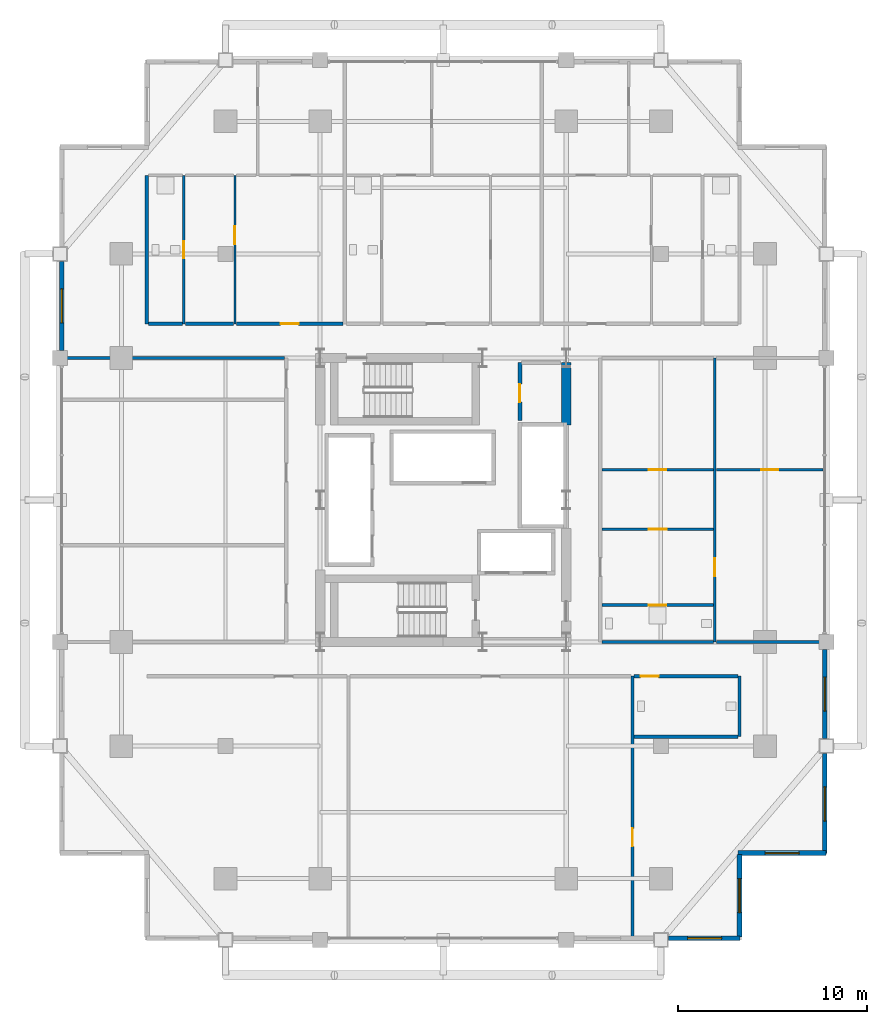
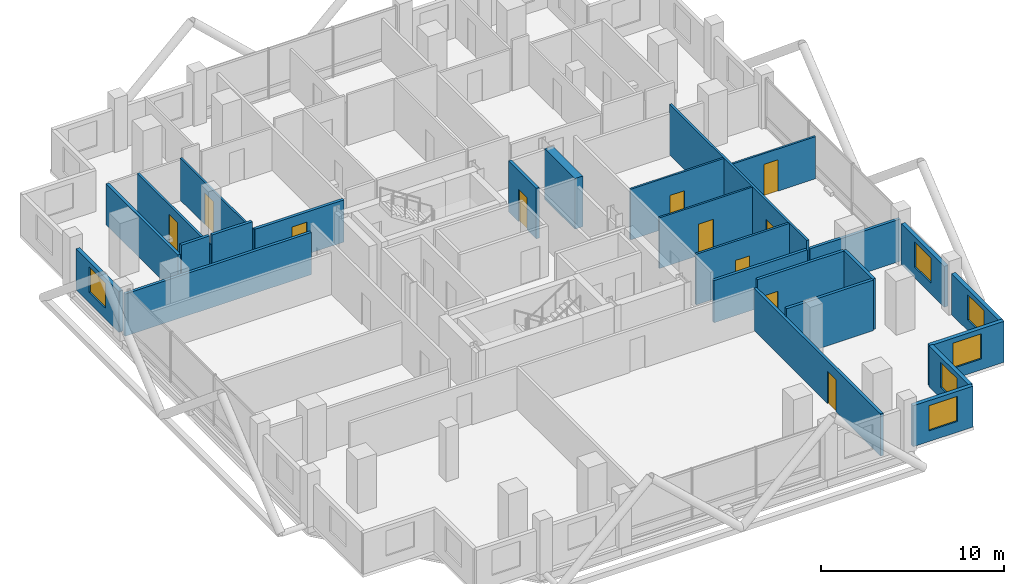
# One storey, part 20 of 24: 26 walls, 11 doors, 6 windows, 17 openings.
"""IFC4 building model written with IfcOpenShell, lengths in metres."""

from ifc_helpers import new_model, si_unit, direction, frame, frame_2d, origin, place, context, subcontext, project, spatial, rectangle, extrude, material, layer, layer_set, type_object, element, fill, save


model = new_model("IFC4")

# Units and contexts
model_context = context("Model", 3, precision=1e-05, world=origin(), true_north=direction((0.0, 1.0)))
body_context = subcontext(model_context, "Body", "Model", "MODEL_VIEW")
ifc_project = project(units=[si_unit("LENGTHUNIT", "METRE"), si_unit("AREAUNIT", "SQUARE_METRE"), si_unit("VOLUMEUNIT", "CUBIC_METRE"), si_unit("PLANEANGLEUNIT", "RADIAN"), si_unit("MASSUNIT", "GRAM", prefix="KILO")], contexts=[model_context])

# Site, building, storey
site_placement = place(None, origin())
site = spatial("IfcSite", under=ifc_project, at=site_placement, CompositionType="ELEMENT")
building_placement = place(site_placement, origin())
building = spatial("IfcBuilding", under=site, at=building_placement, Name="Barlavira Tower and Art Museum", CompositionType="ELEMENT")
storey_placement = place(building_placement, frame((0.0, 0.0, 109.800048828125)))
storey = spatial("IfcBuildingStorey", under=building, at=storey_placement, Name="L27", CompositionType="ELEMENT", Elevation=109.800048828125)

# Wall, opening, door
ifc_material_1 = material(Name="Gypsum acoustic stud partition", Category="gypsum")
ifc_layer_1 = layer(ifc_material_1, 0.1201171875, Name="Gypsum acoustic stud partition")
ifc_layer_set_1 = layer_set([ifc_layer_1], Name="Gypsum acoustic stud partition")
wall_type_1 = type_object("IfcWallType", Name="Apartment Internal Acoustic Partition 120", PredefinedType="PARTITIONING", material=ifc_layer_set_1)
wall_1_placement = place(storey_placement, frame((-11.0, 9.300048828125, 0.0), z_axis=(0.0, 0.0, 1.0), x_axis=(0.0, 1.0, 0.0)))
wall_1 = element("IfcWall", 1, at=wall_1_placement, inside=storey, type_object=wall_type_1, Name="L27 Partition Wall 3", PredefinedType="PARTITIONING", context=body_context, shape_type="SweptSolid", body=[
    extrude(rectangle(XDim=7.849853515625, YDim=0.1201171875, at=frame_2d((3.9248046875, 0.0))), origin(), (0.0, 0.0, 1.0), 2.81591796875),
])
opening_1_placement = place(wall_1_placement, frame((4.218505859375, 0.0, 0.0)))
opening_1 = element("IfcOpeningElement", 2, at=opening_1_placement, cuts=wall_1, Name="Opening D-02", PredefinedType="OPENING", context=body_context, shape_type="SweptSolid", body=[
    extrude(rectangle(XDim=0.949951171875, YDim=2.10009765625, at=frame_2d((0.47509765625, 1.050048828125))), frame((0.0, 0.070068359375, 0.0), z_axis=(0.0, -1.0, 0.0), x_axis=(1.0, 0.0, 0.0)), (0.0, 0.0, 1.0), 0.14013671875),
])
ifc_material_2 = material(Name="Engineered coastal hardwood", Category="wood")
door_type_1 = type_object("IfcDoorType", Name="Living and Salon Glazed-Leaf Door 950x2100", OperationType="NOTDEFINED", PredefinedType="DOOR", material=ifc_material_2)
door_1_placement = place(opening_1_placement, origin())
door_1 = element("IfcDoor", 3, at=door_1_placement, inside=storey, type_object=door_type_1, Name="Apartment N1 Kitchen Door", OperationType="SINGLE_SWING_RIGHT", OverallHeight=2.10009765625, OverallWidth=0.949951171875, PredefinedType="DOOR", context=body_context, shape_type="SweptSolid", body=[
    extrude(rectangle(XDim=0.949951171875, YDim=2.10009765625, at=frame_2d((0.47509765625, 1.050048828125))), frame((0.0, 0.02490234375, 0.0), z_axis=(0.0, -1.0, 0.0), x_axis=(1.0, 0.0, 0.0)), (0.0, 0.0, 1.0), 0.050048828125),
])
fill(opening_1, door_1)

wall_2_placement = place(storey_placement, frame((8.3798828125, -1.550048828125, 0.0), z_axis=(0.0, 0.0, 1.0), x_axis=(1.0, 0.0, 0.0)))
wall_2 = element("IfcWall", 4, at=wall_2_placement, inside=storey, type_object=wall_type_1, Name="L27 Partition Wall 30", PredefinedType="PARTITIONING", context=body_context, shape_type="SweptSolid", body=[
    extrude(rectangle(XDim=5.89013671875, YDim=0.1201171875, at=frame_2d((2.945068359375, 0.0))), origin(), (0.0, 0.0, 1.0), 3.3798828125),
])
opening_2_placement = place(wall_2_placement, frame((2.465087890625, 0.0, 0.0)))
opening_2 = element("IfcOpeningElement", 5, at=opening_2_placement, cuts=wall_2, Name="Opening D-02", PredefinedType="OPENING", context=body_context, shape_type="SweptSolid", body=[
    extrude(rectangle(XDim=0.949951171875, YDim=2.10009765625, at=frame_2d((0.47509765625, 1.050048828125))), frame((0.0, 0.070068359375, 0.0), z_axis=(0.0, -1.0, 0.0), x_axis=(1.0, 0.0, 0.0)), (0.0, 0.0, 1.0), 0.14013671875),
])
door_2_placement = place(opening_2_placement, origin())
door_2 = element("IfcDoor", 6, at=door_2_placement, inside=storey, type_object=door_type_1, Name="Apartment E1 Kitchen Door", OperationType="SINGLE_SWING_LEFT", OverallHeight=2.10009765625, OverallWidth=0.949951171875, PredefinedType="DOOR", context=body_context, shape_type="SweptSolid", body=[
    extrude(rectangle(XDim=0.949951171875, YDim=2.10009765625, at=frame_2d((0.47509765625, 1.050048828125))), frame((0.0, 0.02490234375, 0.0), z_axis=(0.0, -1.0, 0.0), x_axis=(1.0, 0.0, 0.0)), (0.0, 0.0, 1.0), 0.050048828125),
])
fill(opening_2, door_2)

wall_3_placement = place(storey_placement, frame((8.3798828125, 1.60009765625, 0.0), z_axis=(0.0, 0.0, 1.0), x_axis=(1.0, 0.0, 0.0)))
wall_3 = element("IfcWall", 7, at=wall_3_placement, inside=storey, type_object=wall_type_1, Name="L27 Partition Wall 31", PredefinedType="PARTITIONING", context=body_context, shape_type="SweptSolid", body=[
    extrude(rectangle(XDim=5.89013671875, YDim=0.1201171875, at=frame_2d((2.945068359375, 0.0))), origin(), (0.0, 0.0, 1.0), 3.3798828125),
])
opening_3_placement = place(wall_3_placement, frame((2.489990234375, 0.0, 0.0)))
opening_3 = element("IfcOpeningElement", 8, at=opening_3_placement, cuts=wall_3, Name="Opening D-01", PredefinedType="OPENING", context=body_context, shape_type="SweptSolid", body=[
    extrude(rectangle(XDim=0.89990234375, YDim=2.10009765625, at=frame_2d((0.449951171875, 1.050048828125))), frame((0.0, 0.070068359375, 0.0), z_axis=(0.0, -1.0, 0.0), x_axis=(1.0, 0.0, 0.0)), (0.0, 0.0, 1.0), 0.14013671875),
])
door_type_2 = type_object("IfcDoorType", Name="Internal Bedroom Timber Flush Door 900x2100", OperationType="NOTDEFINED", PredefinedType="DOOR", material=ifc_material_2)
door_3_placement = place(opening_3_placement, origin())
door_3 = element("IfcDoor", 9, at=door_3_placement, inside=storey, type_object=door_type_2, Name="Apartment E1 Walk-In Dressing Room Door", OperationType="SINGLE_SWING_RIGHT", OverallHeight=2.10009765625, OverallWidth=0.89990234375, PredefinedType="DOOR", context=body_context, shape_type="SweptSolid", body=[
    extrude(rectangle(XDim=0.89990234375, YDim=2.10009765625, at=frame_2d((0.449951171875, 1.050048828125))), frame((0.0, 0.02490234375, 0.0), z_axis=(0.0, -1.0, 0.0), x_axis=(1.0, 0.0, 0.0)), (0.0, 0.0, 1.0), 0.050048828125),
])
fill(opening_3, door_3)

wall_4_placement = place(storey_placement, frame((14.429931640625, 1.60009765625, 0.0), z_axis=(0.0, 0.0, 1.0), x_axis=(1.0, 0.0, 0.0)))
wall_4 = element("IfcWall", 10, at=wall_4_placement, inside=storey, type_object=wall_type_1, Name="L27 Partition Wall 32", PredefinedType="PARTITIONING", context=body_context, shape_type="SweptSolid", body=[
    extrude(rectangle(XDim=5.64013671875, YDim=0.1201171875, at=frame_2d((2.820068359375, 0.0))), origin(), (0.0, 0.0, 1.0), 2.81591796875),
])
opening_4_placement = place(wall_4_placement, frame((2.3701171875, 0.0, 0.0)))
opening_4 = element("IfcOpeningElement", 11, at=opening_4_placement, cuts=wall_4, Name="Opening D-01", PredefinedType="OPENING", context=body_context, shape_type="SweptSolid", body=[
    extrude(rectangle(XDim=0.89990234375, YDim=2.10009765625, at=frame_2d((0.449951171875, 1.050048828125))), frame((0.0, 0.070068359375, 0.0), z_axis=(0.0, -1.0, 0.0), x_axis=(1.0, 0.0, 0.0)), (0.0, 0.0, 1.0), 0.14013671875),
])
door_4_placement = place(opening_4_placement, origin())
door_4 = element("IfcDoor", 12, at=door_4_placement, inside=storey, type_object=door_type_2, Name="Apartment E1 Bedroom 1 Door", OperationType="SINGLE_SWING_RIGHT", OverallHeight=2.10009765625, OverallWidth=0.89990234375, PredefinedType="DOOR", context=body_context, shape_type="SweptSolid", body=[
    extrude(rectangle(XDim=0.89990234375, YDim=2.10009765625, at=frame_2d((0.449951171875, 1.050048828125))), frame((0.0, 0.02490234375, 0.0), z_axis=(0.0, -1.0, 0.0), x_axis=(1.0, 0.0, 0.0)), (0.0, 0.0, 1.0), 0.050048828125),
])
fill(opening_4, door_4)

# Wall
ifc_material_3 = material(Name="Concrete C60", Category="concrete")
ifc_layer_2 = layer(ifc_material_3, 0.5, Name="Concrete C60")
ifc_layer_set_2 = layer_set([ifc_layer_2], Name="Concrete C60")
wall_type_2 = type_object("IfcWallType", Name="Core Structural Shear Wall 500 Concrete C60", PredefinedType="SHEAR", material=ifc_layer_set_2)
wall_5_placement = place(storey_placement, frame((6.5, 3.949951171875, 0.0), z_axis=(0.0, 0.0, 1.0), x_axis=(0.0, 1.0, 0.0)))
element("IfcWall", 13, at=wall_5_placement, inside=storey, type_object=wall_type_2, Name="L27 Core Shear Wall CS-E2", PredefinedType="SHEAR", context=body_context, shape_type="SweptSolid", body=[
    extrude(rectangle(XDim=3.300048828125, YDim=0.5, at=frame_2d((1.64990234375, 0.0))), origin(), (0.0, 0.0, 1.0), 3.3798828125),
])

# Wall, opening, door
ifc_material_4 = material(Name="Autoclaved aerated concrete masonry", Category="masonry")
ifc_layer_3 = layer(ifc_material_4, 0.199951171875, Name="Autoclaved aerated concrete masonry")
ifc_layer_set_3 = layer_set([ifc_layer_3], Name="Autoclaved aerated concrete masonry")
wall_type_3 = type_object("IfcWallType", Name="Fire Compartment and Shaft Wall 200", PredefinedType="SOLIDWALL", material=ifc_layer_set_3)
wall_6_placement = place(storey_placement, frame((4.050048828125, 4.199951171875, 0.0), z_axis=(0.0, 0.0, 1.0), x_axis=(0.0, 1.0, 0.0)))
wall_6 = element("IfcWall", 14, at=wall_6_placement, inside=storey, type_object=wall_type_3, Name="L27 Partition Wall 11", PredefinedType="SOLIDWALL", context=body_context, shape_type="SweptSolid", body=[
    extrude(rectangle(XDim=3.050048828125, YDim=0.199951171875, at=frame_2d((1.52490234375, 0.0))), origin(), (0.0, 0.0, 1.0), 3.3798828125),
])
opening_5_placement = place(wall_6_placement, frame((0.97509765625, 0.0, 0.0)))
opening_5 = element("IfcOpeningElement", 15, at=opening_5_placement, cuts=wall_6, Name="Opening FD-60", PredefinedType="OPENING", context=body_context, shape_type="SweptSolid", body=[
    extrude(rectangle(XDim=0.949951171875, YDim=2.14990234375, at=frame_2d((0.47509765625, 1.074951171875))), frame((0.0, 0.10986328125, 0.0), z_axis=(0.0, -1.0, 0.0), x_axis=(1.0, 0.0, 0.0)), (0.0, 0.0, 1.0), 0.219970703125),
])
ifc_material_5 = material(Name="Brushed stainless steel", Category="steel")
door_type_3 = type_object("IfcDoorType", Name="Apartment Entrance and Riser Fire Door 950x2150 FD60S", OperationType="NOTDEFINED", PredefinedType="DOOR", material=ifc_material_5)
door_5_placement = place(opening_5_placement, origin())
door_5 = element("IfcDoor", 16, at=door_5_placement, inside=storey, type_object=door_type_3, Name="Combined Electrical and Telecom Plant Room Door", OperationType="SINGLE_SWING_RIGHT", OverallHeight=2.14990234375, OverallWidth=0.949951171875, PredefinedType="DOOR", context=body_context, shape_type="SweptSolid", body=[
    extrude(rectangle(XDim=0.949951171875, YDim=2.14990234375, at=frame_2d((0.47509765625, 1.074951171875))), frame((0.0, 0.02490234375, 0.0), z_axis=(0.0, -1.0, 0.0), x_axis=(1.0, 0.0, 0.0)), (0.0, 0.0, 1.0), 0.050048828125),
])
fill(opening_5, door_5)

# Wall
ifc_layer_4 = layer(ifc_material_1, 0.179931640625, Name="Gypsum acoustic stud partition")
ifc_layer_set_4 = layer_set([ifc_layer_4], Name="Gypsum acoustic stud partition")
wall_type_4 = type_object("IfcWallType", Name="Inter-Tenancy Party Partition Wall 180", PredefinedType="PARTITIONING", material=ifc_layer_set_4)
wall_7_placement = place(storey_placement, frame((-15.64990234375, 9.300048828125, 0.0), z_axis=(0.0, 0.0, 1.0), x_axis=(0.0, 1.0, 0.0)))
element("IfcWall", 17, at=wall_7_placement, inside=storey, type_object=wall_type_4, Name="L27 Partition Wall 1", PredefinedType="PARTITIONING", context=body_context, shape_type="SweptSolid", body=[
    extrude(rectangle(XDim=7.849853515625, YDim=0.179931640625, at=frame_2d((3.9248046875, 0.0))), origin(), (0.0, 0.0, 1.0), 2.73583984375),
])

# Wall, opening, door
wall_8_placement = place(storey_placement, frame((10.0, -23.14990234375, 0.0), z_axis=(0.0, 0.0, 1.0), x_axis=(0.0, 1.0, 0.0)))
wall_8 = element("IfcWall", 18, at=wall_8_placement, inside=storey, type_object=wall_type_4, Name="L27 Partition Wall 15", PredefinedType="PARTITIONING", context=body_context, shape_type="SweptSolid", body=[
    extrude(rectangle(XDim=13.849853515625, YDim=0.179931640625, at=frame_2d((6.9248046875, 0.0))), origin(), (0.0, 0.0, 1.0), 2.81591796875),
])
opening_6_placement = place(wall_8_placement, frame((4.85498046875, 0.0, 0.0)))
opening_6 = element("IfcOpeningElement", 19, at=opening_6_placement, cuts=wall_8, Name="Opening FD-60", PredefinedType="OPENING", context=body_context, shape_type="SweptSolid", body=[
    extrude(rectangle(XDim=0.949951171875, YDim=2.14990234375, at=frame_2d((0.47509765625, 1.074951171875))), frame((0.0, 0.10009765625, 0.0), z_axis=(0.0, -1.0, 0.0), x_axis=(1.0, 0.0, 0.0)), (0.0, 0.0, 1.0), 0.199951171875),
])
door_6_placement = place(opening_6_placement, origin())
door_6 = element("IfcDoor", 20, at=door_6_placement, inside=storey, type_object=door_type_3, Name="Thermal Relaxation Lounge Door", OperationType="SINGLE_SWING_RIGHT", OverallHeight=2.14990234375, OverallWidth=0.949951171875, PredefinedType="DOOR", context=body_context, shape_type="SweptSolid", body=[
    extrude(rectangle(XDim=0.949951171875, YDim=2.14990234375, at=frame_2d((0.47509765625, 1.074951171875))), frame((0.0, 0.02490234375, 0.0), z_axis=(0.0, -1.0, 0.0), x_axis=(1.0, 0.0, 0.0)), (0.0, 0.0, 1.0), 0.050048828125),
])
fill(opening_6, door_6)

# Walls
wall_9_placement = place(storey_placement, frame((15.64990234375, -12.5, 0.0), z_axis=(0.0, 0.0, 1.0), x_axis=(0.0, 1.0, 0.0)))
element("IfcWall", 21, at=wall_9_placement, inside=storey, type_object=wall_type_4, Name="L27 Partition Wall 19", PredefinedType="PARTITIONING", context=body_context, shape_type="SweptSolid", body=[
    extrude(rectangle(XDim=3.199951171875, YDim=0.179931640625, at=frame_2d((1.60009765625, 0.0))), origin(), (0.0, 0.0, 1.0), 3.3798828125),
])
wall_10_placement = place(storey_placement, frame((10.080078125, -12.5, 0.0), z_axis=(0.0, 0.0, 1.0), x_axis=(1.0, 0.0, 0.0)))
element("IfcWall", 22, at=wall_10_placement, inside=storey, type_object=wall_type_4, Name="L27 Partition Wall 21", PredefinedType="PARTITIONING", context=body_context, shape_type="SweptSolid", body=[
    extrude(rectangle(XDim=5.489990234375, YDim=0.179931640625, at=frame_2d((2.7451171875, 0.0))), origin(), (0.0, 0.0, 1.0), 3.3798828125),
])

# Wall, opening, door
wall_11_placement = place(storey_placement, frame((10.080078125, -9.300048828125, 0.0), z_axis=(0.0, 0.0, 1.0), x_axis=(1.0, 0.0, 0.0)))
wall_11 = element("IfcWall", 23, at=wall_11_placement, inside=storey, type_object=wall_type_4, Name="L27 Partition Wall 24", PredefinedType="PARTITIONING", context=body_context, shape_type="SweptSolid", body=[
    extrude(rectangle(XDim=5.489990234375, YDim=0.179931640625, at=frame_2d((2.7451171875, 0.0))), origin(), (0.0, 0.0, 1.0), 3.3798828125),
])
opening_7_placement = place(wall_11_placement, frame((0.344970703125, 0.0, 0.0)))
opening_7 = element("IfcOpeningElement", 24, at=opening_7_placement, cuts=wall_11, Name="Opening FD-60", PredefinedType="OPENING", context=body_context, shape_type="SweptSolid", body=[
    extrude(rectangle(XDim=0.949951171875, YDim=2.14990234375, at=frame_2d((0.47509765625, 1.074951171875))), frame((0.0, 0.10009765625, 0.0), z_axis=(0.0, -1.0, 0.0), x_axis=(1.0, 0.0, 0.0)), (0.0, 0.0, 1.0), 0.199951171875),
])
door_7_placement = place(opening_7_placement, origin())
door_7 = element("IfcDoor", 25, at=door_7_placement, inside=storey, type_object=door_type_3, Name="Wellness Changing and Accessible Shower WC Door", OperationType="SINGLE_SWING_LEFT", OverallHeight=2.14990234375, OverallWidth=0.949951171875, PredefinedType="DOOR", context=body_context, shape_type="SweptSolid", body=[
    extrude(rectangle(XDim=0.949951171875, YDim=2.14990234375, at=frame_2d((0.47509765625, 1.074951171875))), frame((0.0, 0.02490234375, 0.0), z_axis=(0.0, -1.0, 0.0), x_axis=(1.0, 0.0, 0.0)), (0.0, 0.0, 1.0), 0.050048828125),
])
fill(opening_7, door_7)

# Walls
wall_12_placement = place(storey_placement, frame((8.3798828125, -7.5, 0.0), z_axis=(0.0, 0.0, 1.0), x_axis=(1.0, 0.0, 0.0)))
element("IfcWall", 26, at=wall_12_placement, inside=storey, type_object=wall_type_4, Name="L27 Partition Wall 26", PredefinedType="PARTITIONING", context=body_context, shape_type="SweptSolid", body=[
    extrude(rectangle(XDim=5.89013671875, YDim=0.179931640625, at=frame_2d((2.945068359375, 0.0))), origin(), (0.0, 0.0, 1.0), 2.81591796875),
])
wall_13_placement = place(storey_placement, frame((14.429931640625, -7.5, 0.0), z_axis=(0.0, 0.0, 1.0), x_axis=(1.0, 0.0, 0.0)))
element("IfcWall", 27, at=wall_13_placement, inside=storey, type_object=wall_type_4, Name="L27 Partition Wall 27", PredefinedType="PARTITIONING", context=body_context, shape_type="SweptSolid", body=[
    extrude(rectangle(XDim=5.719970703125, YDim=0.179931640625, at=frame_2d((2.85986328125, 0.0))), origin(), (0.0, 0.0, 1.0), 2.81591796875),
])
wall_14_placement = place(storey_placement, frame((-20.14990234375, 7.5, 0.0), z_axis=(0.0, 0.0, 1.0), x_axis=(1.0, 0.0, 0.0)))
element("IfcWall", 28, at=wall_14_placement, inside=storey, type_object=wall_type_4, Name="L27 Partition Wall 35", PredefinedType="PARTITIONING", context=body_context, shape_type="SweptSolid", body=[
    extrude(rectangle(XDim=11.77001953125, YDim=0.179931640625, at=frame_2d((5.885009765625, 0.0))), origin(), (0.0, 0.0, 1.0), 2.81591796875),
])
wall_15_placement = place(storey_placement, frame((-15.570068359375, 9.300048828125, 0.0), z_axis=(0.0, 0.0, 1.0), x_axis=(1.0, 0.0, 0.0)))
element("IfcWall", 29, at=wall_15_placement, inside=storey, type_object=wall_type_4, Name="L27 Partition Wall 38", PredefinedType="PARTITIONING", context=body_context, shape_type="SweptSolid", body=[
    extrude(rectangle(XDim=1.7900390625, YDim=0.179931640625, at=frame_2d((0.89501953125, 0.0))), origin(), (0.0, 0.0, 1.0), 3.3798828125),
])
wall_16_placement = place(storey_placement, frame((-13.6201171875, 9.300048828125, 0.0), z_axis=(0.0, 0.0, 1.0), x_axis=(1.0, 0.0, 0.0)))
element("IfcWall", 30, at=wall_16_placement, inside=storey, type_object=wall_type_4, Name="L27 Partition Wall 39", PredefinedType="PARTITIONING", context=body_context, shape_type="SweptSolid", body=[
    extrude(rectangle(XDim=2.5400390625, YDim=0.179931640625, at=frame_2d((1.27001953125, 0.0))), origin(), (0.0, 0.0, 1.0), 3.3798828125),
])

# Wall, opening, door
wall_17_placement = place(storey_placement, frame((-10.919921875, 9.300048828125, 0.0), z_axis=(0.0, 0.0, 1.0), x_axis=(1.0, 0.0, 0.0)))
wall_17 = element("IfcWall", 31, at=wall_17_placement, inside=storey, type_object=wall_type_4, Name="L27 Partition Wall 40", PredefinedType="PARTITIONING", context=body_context, shape_type="SweptSolid", body=[
    extrude(rectangle(XDim=5.639892578125, YDim=0.179931640625, at=frame_2d((2.81982421875, 0.0))), origin(), (0.0, 0.0, 1.0), 2.81591796875),
])
opening_8_placement = place(wall_17_placement, frame((2.3349609375, 0.0, 0.0)))
opening_8 = element("IfcOpeningElement", 32, at=opening_8_placement, cuts=wall_17, Name="Opening FD-60", PredefinedType="OPENING", context=body_context, shape_type="SweptSolid", body=[
    extrude(rectangle(XDim=0.949951171875, YDim=2.14990234375, at=frame_2d((0.47509765625, 1.074951171875))), frame((0.0, 0.10009765625, 0.0), z_axis=(0.0, -1.0, 0.0), x_axis=(1.0, 0.0, 0.0)), (0.0, 0.0, 1.0), 0.199951171875),
])
door_8_placement = place(opening_8_placement, origin())
door_8 = element("IfcDoor", 33, at=door_8_placement, inside=storey, type_object=door_type_3, Name="Apartment Entrance Hall N1 Door", OperationType="SINGLE_SWING_LEFT", OverallHeight=2.14990234375, OverallWidth=0.949951171875, PredefinedType="DOOR", context=body_context, shape_type="SweptSolid", body=[
    extrude(rectangle(XDim=0.949951171875, YDim=2.14990234375, at=frame_2d((0.47509765625, 1.074951171875))), frame((0.0, 0.02490234375, 0.0), z_axis=(0.0, -1.0, 0.0), x_axis=(1.0, 0.0, 0.0)), (0.0, 0.0, 1.0), 0.050048828125),
])
fill(opening_8, door_8)

ifc_layer_5 = layer(ifc_material_1, 0.139892578125, Name="Gypsum acoustic stud partition")
ifc_layer_set_5 = layer_set([ifc_layer_5], Name="Gypsum acoustic stud partition")
wall_type_5 = type_object("IfcWallType", Name="Moisture-Resistant Bathroom Partition 140", PredefinedType="PARTITIONING", material=ifc_layer_set_5)
wall_18_placement = place(storey_placement, frame((-13.699951171875, 9.300048828125, 0.0), z_axis=(0.0, 0.0, 1.0), x_axis=(0.0, 1.0, 0.0)))
wall_18 = element("IfcWall", 34, at=wall_18_placement, inside=storey, type_object=wall_type_5, Name="L27 Partition Wall 2", PredefinedType="PARTITIONING", context=body_context, shape_type="SweptSolid", body=[
    extrude(rectangle(XDim=7.849853515625, YDim=0.139892578125, at=frame_2d((3.9248046875, 0.0))), origin(), (0.0, 0.0, 1.0), 2.73583984375),
])
opening_9_placement = place(wall_18_placement, frame((3.469970703125, 0.0, 0.0)))
opening_9 = element("IfcOpeningElement", 35, at=opening_9_placement, cuts=wall_18, Name="Opening D-WC", PredefinedType="OPENING", context=body_context, shape_type="SweptSolid", body=[
    extrude(rectangle(XDim=0.89990234375, YDim=2.10009765625, at=frame_2d((0.449951171875, 1.050048828125))), frame((0.0, 0.080078125, 0.0), z_axis=(0.0, -1.0, 0.0), x_axis=(1.0, 0.0, 0.0)), (0.0, 0.0, 1.0), 0.159912109375),
])
door_type_4 = type_object("IfcDoorType", Name="Accessible Bathroom Flush Door 900x2100", OperationType="NOTDEFINED", PredefinedType="DOOR", material=ifc_material_2)
door_9_placement = place(opening_9_placement, origin())
door_9 = element("IfcDoor", 36, at=door_9_placement, inside=storey, type_object=door_type_4, Name="Apartment N1 Hall Bathroom Door", OperationType="SINGLE_SWING_LEFT", OverallHeight=2.10009765625, OverallWidth=0.89990234375, PredefinedType="DOOR", context=body_context, shape_type="SweptSolid", body=[
    extrude(rectangle(XDim=0.89990234375, YDim=2.10009765625, at=frame_2d((0.449951171875, 1.050048828125))), frame((0.0, 0.02490234375, 0.0), z_axis=(0.0, -1.0, 0.0), x_axis=(1.0, 0.0, 0.0)), (0.0, 0.0, 1.0), 0.050048828125),
])
fill(opening_9, door_9)

wall_19_placement = place(storey_placement, frame((14.35009765625, -7.5, 0.0), z_axis=(0.0, 0.0, 1.0), x_axis=(0.0, 1.0, 0.0)))
wall_19 = element("IfcWall", 37, at=wall_19_placement, inside=storey, type_object=wall_type_5, Name="L27 Partition Wall 18", PredefinedType="PARTITIONING", context=body_context, shape_type="SweptSolid", body=[
    extrude(rectangle(XDim=15.0, YDim=0.139892578125, at=frame_2d((7.5, 0.0))), origin(), (0.0, 0.0, 1.0), 3.3798828125),
])
opening_10_placement = place(wall_19_placement, frame((3.47509765625, 0.0, 0.0)))
opening_10 = element("IfcOpeningElement", 38, at=opening_10_placement, cuts=wall_19, Name="Opening D-02", PredefinedType="OPENING", context=body_context, shape_type="SweptSolid", body=[
    extrude(rectangle(XDim=0.949951171875, YDim=2.10009765625, at=frame_2d((0.47509765625, 1.050048828125))), frame((0.0, 0.080078125, 0.0), z_axis=(0.0, -1.0, 0.0), x_axis=(1.0, 0.0, 0.0)), (0.0, 0.0, 1.0), 0.159912109375),
])
door_10_placement = place(opening_10_placement, origin())
door_10 = element("IfcDoor", 39, at=door_10_placement, inside=storey, type_object=door_type_1, Name="Apartment E1 Living Lounge Door", OperationType="SINGLE_SWING_LEFT", OverallHeight=2.10009765625, OverallWidth=0.949951171875, PredefinedType="DOOR", context=body_context, shape_type="SweptSolid", body=[
    extrude(rectangle(XDim=0.949951171875, YDim=2.10009765625, at=frame_2d((0.47509765625, 1.050048828125))), frame((0.0, 0.02490234375, 0.0), z_axis=(0.0, -1.0, 0.0), x_axis=(1.0, 0.0, 0.0)), (0.0, 0.0, 1.0), 0.050048828125),
])
fill(opening_10, door_10)

wall_20_placement = place(storey_placement, frame((8.3798828125, -5.550048828125, 0.0), z_axis=(0.0, 0.0, 1.0), x_axis=(1.0, 0.0, 0.0)))
wall_20 = element("IfcWall", 40, at=wall_20_placement, inside=storey, type_object=wall_type_5, Name="L27 Partition Wall 28", PredefinedType="PARTITIONING", context=body_context, shape_type="SweptSolid", body=[
    extrude(rectangle(XDim=5.89013671875, YDim=0.139892578125, at=frame_2d((2.945068359375, 0.0))), origin(), (0.0, 0.0, 1.0), 3.3798828125),
])
opening_11_placement = place(wall_20_placement, frame((2.489990234375, 0.0, 0.0)))
opening_11 = element("IfcOpeningElement", 41, at=opening_11_placement, cuts=wall_20, Name="Opening D-WC", PredefinedType="OPENING", context=body_context, shape_type="SweptSolid", body=[
    extrude(rectangle(XDim=0.89990234375, YDim=2.10009765625, at=frame_2d((0.449951171875, 1.050048828125))), frame((0.0, 0.080078125, 0.0), z_axis=(0.0, -1.0, 0.0), x_axis=(1.0, 0.0, 0.0)), (0.0, 0.0, 1.0), 0.159912109375),
])
door_11_placement = place(opening_11_placement, origin())
door_11 = element("IfcDoor", 42, at=door_11_placement, inside=storey, type_object=door_type_4, Name="Apartment E1 Hall Bathroom Door", OperationType="SINGLE_SWING_LEFT", OverallHeight=2.10009765625, OverallWidth=0.89990234375, PredefinedType="DOOR", context=body_context, shape_type="SweptSolid", body=[
    extrude(rectangle(XDim=0.89990234375, YDim=2.10009765625, at=frame_2d((0.449951171875, 1.050048828125))), frame((0.0, 0.02490234375, 0.0), z_axis=(0.0, -1.0, 0.0), x_axis=(1.0, 0.0, 0.0)), (0.0, 0.0, 1.0), 0.050048828125),
])
fill(opening_11, door_11)

# Wall, opening, window
ifc_material_6 = material(Name="Precast concrete C40", Category="concrete")
ifc_layer_6 = layer(ifc_material_6, 0.25, Name="Precast concrete C40")
ifc_layer_set_6 = layer_set([ifc_layer_6], Name="Precast concrete C40")
wall_type_6 = type_object("IfcWallType", Name="Notched Corner Spandrel Wall 250 Precast Concrete C40", PredefinedType="SOLIDWALL", material=ifc_layer_set_6)
wall_21_placement = place(storey_placement, frame((11.89501953125, -23.14990234375, 0.0), z_axis=(0.0, 0.0, 1.0), x_axis=(1.0, 0.0, 0.0)))
wall_21 = element("IfcWall", 43, at=wall_21_placement, inside=storey, type_object=wall_type_6, Name="L27 Coastal Facade Pier Wall CW2-L27-S-5", PredefinedType="SOLIDWALL", context=body_context, shape_type="SweptSolid", body=[
    extrude(rectangle(XDim=3.780029296875, YDim=0.25, at=frame_2d((1.89013671875, 0.0))), origin(), (0.0, 0.0, 1.0), 2.73583984375),
])
opening_12_placement = place(wall_21_placement, frame((1.012939453125, 0.0, 0.719970703125)))
opening_12 = element("IfcOpeningElement", 44, at=opening_12_placement, cuts=wall_21, Name="Opening WN-01", PredefinedType="OPENING", context=body_context, shape_type="SweptSolid", body=[
    extrude(rectangle(XDim=1.800048828125, YDim=1.679931640625, at=frame_2d((0.89990234375, 0.83984375))), frame((0.0, 0.135009765625, 0.0), z_axis=(0.0, -1.0, 0.0), x_axis=(1.0, 0.0, 0.0)), (0.0, 0.0, 1.0), 0.27001953125),
])
ifc_material_7 = material(Name="Low-iron coastal laminated glass", Category="glass")
window_type = type_object("IfcWindowType", Name="Recessed Notch Corner Punch Window 1800x1680", PartitioningType="SINGLE_PANEL", PredefinedType="WINDOW", material=ifc_material_7)
window_1_placement = place(opening_12_placement, origin())
window_1 = element("IfcWindow", 45, at=window_1_placement, inside=storey, type_object=window_type, Name="L27 Punched Facade Window EWP-CW2-L27-S-5-1", OverallHeight=1.679931640625, OverallWidth=1.800048828125, PartitioningType="SINGLE_PANEL", PredefinedType="WINDOW", context=body_context, shape_type="SweptSolid", body=[
    extrude(rectangle(XDim=1.800048828125, YDim=1.679931640625, at=frame_2d((0.89990234375, 0.83984375))), frame((0.0, 0.030029296875, 0.0), z_axis=(0.0, -1.0, 0.0), x_axis=(1.0, 0.0, 0.0)), (0.0, 0.0, 1.0), 0.06005859375),
])
fill(opening_12, window_1)

wall_22_placement = place(storey_placement, frame((-20.14990234375, 12.60498046875, 0.0), z_axis=(0.0, 0.0, 1.0), x_axis=(0.0, -1.0, 0.0)))
wall_22 = element("IfcWall", 46, at=wall_22_placement, inside=storey, type_object=wall_type_6, Name="L27 Coastal Facade Pier Wall CW2-L27-W-2", PredefinedType="SOLIDWALL", context=body_context, shape_type="SweptSolid", body=[
    extrude(rectangle(XDim=4.7099609375, YDim=0.25, at=frame_2d((2.35498046875, 0.0))), origin(), (0.0, 0.0, 1.0), 2.73583984375),
])
opening_13_placement = place(wall_22_placement, frame((1.455078125, 0.0, 0.719970703125)))
opening_13 = element("IfcOpeningElement", 47, at=opening_13_placement, cuts=wall_22, Name="Opening WN-01", PredefinedType="OPENING", context=body_context, shape_type="SweptSolid", body=[
    extrude(rectangle(XDim=1.800048828125, YDim=1.679931640625, at=frame_2d((0.89990234375, 0.83984375))), frame((0.0, 0.135009765625, 0.0), z_axis=(0.0, -1.0, 0.0), x_axis=(1.0, 0.0, 0.0)), (0.0, 0.0, 1.0), 0.27001953125),
])
window_2_placement = place(opening_13_placement, origin())
window_2 = element("IfcWindow", 48, at=window_2_placement, inside=storey, type_object=window_type, Name="L27 Punched Facade Window EWP-CW2-L27-W-2-1", OverallHeight=1.679931640625, OverallWidth=1.800048828125, PartitioningType="SINGLE_PANEL", PredefinedType="WINDOW", context=body_context, shape_type="SweptSolid", body=[
    extrude(rectangle(XDim=1.800048828125, YDim=1.679931640625, at=frame_2d((0.89990234375, 0.83984375))), frame((0.0, 0.030029296875, 0.0), z_axis=(0.0, -1.0, 0.0), x_axis=(1.0, 0.0, 0.0)), (0.0, 0.0, 1.0), 0.06005859375),
])
fill(opening_13, window_2)

wall_23_placement = place(storey_placement, frame((20.14990234375, -18.675048828125, 0.0), z_axis=(0.0, 0.0, 1.0), x_axis=(0.0, 1.0, 0.0)))
wall_23 = element("IfcWall", 49, at=wall_23_placement, inside=storey, type_object=wall_type_6, Name="L27 Coastal Facade Pier Wall CW2-L27-E-1", PredefinedType="SOLIDWALL", context=body_context, shape_type="SweptSolid", body=[
    extrude(rectangle(XDim=5.280029296875, YDim=0.25, at=frame_2d((2.64013671875, 0.0))), origin(), (0.0, 0.0, 1.0), 2.73583984375),
])
opening_14_placement = place(wall_23_placement, frame((1.718017578125, 0.0, 0.719970703125)))
opening_14 = element("IfcOpeningElement", 50, at=opening_14_placement, cuts=wall_23, Name="Opening WN-01", PredefinedType="OPENING", context=body_context, shape_type="SweptSolid", body=[
    extrude(rectangle(XDim=1.800048828125, YDim=1.679931640625, at=frame_2d((0.89990234375, 0.83984375))), frame((0.0, 0.135009765625, 0.0), z_axis=(0.0, -1.0, 0.0), x_axis=(1.0, 0.0, 0.0)), (0.0, 0.0, 1.0), 0.27001953125),
])
window_3_placement = place(opening_14_placement, origin())
window_3 = element("IfcWindow", 51, at=window_3_placement, inside=storey, type_object=window_type, Name="L27 Punched Facade Window EWP-CW2-L27-E-1-1", OverallHeight=1.679931640625, OverallWidth=1.800048828125, PartitioningType="SINGLE_PANEL", PredefinedType="WINDOW", context=body_context, shape_type="SweptSolid", body=[
    extrude(rectangle(XDim=1.800048828125, YDim=1.679931640625, at=frame_2d((0.89990234375, 0.83984375))), frame((0.0, 0.030029296875, 0.0), z_axis=(0.0, -1.0, 0.0), x_axis=(1.0, 0.0, 0.0)), (0.0, 0.0, 1.0), 0.06005859375),
])
fill(opening_14, window_3)

wall_24_placement = place(storey_placement, frame((20.14990234375, -12.60498046875, 0.0), z_axis=(0.0, 0.0, 1.0), x_axis=(0.0, 1.0, 0.0)))
wall_24 = element("IfcWall", 52, at=wall_24_placement, inside=storey, type_object=wall_type_6, Name="L27 Coastal Facade Pier Wall CW2-L27-E-2", PredefinedType="SOLIDWALL", context=body_context, shape_type="SweptSolid", body=[
    extrude(rectangle(XDim=4.7099609375, YDim=0.25, at=frame_2d((2.35498046875, 0.0))), origin(), (0.0, 0.0, 1.0), 2.73583984375),
])
opening_15_placement = place(wall_24_placement, frame((1.455078125, 0.0, 0.719970703125)))
opening_15 = element("IfcOpeningElement", 53, at=opening_15_placement, cuts=wall_24, Name="Opening WN-01", PredefinedType="OPENING", context=body_context, shape_type="SweptSolid", body=[
    extrude(rectangle(XDim=1.800048828125, YDim=1.679931640625, at=frame_2d((0.89990234375, 0.83984375))), frame((0.0, 0.135009765625, 0.0), z_axis=(0.0, -1.0, 0.0), x_axis=(1.0, 0.0, 0.0)), (0.0, 0.0, 1.0), 0.27001953125),
])
window_4_placement = place(opening_15_placement, origin())
window_4 = element("IfcWindow", 54, at=window_4_placement, inside=storey, type_object=window_type, Name="L27 Punched Facade Window EWP-CW2-L27-E-2-1", OverallHeight=1.679931640625, OverallWidth=1.800048828125, PartitioningType="SINGLE_PANEL", PredefinedType="WINDOW", context=body_context, shape_type="SweptSolid", body=[
    extrude(rectangle(XDim=1.800048828125, YDim=1.679931640625, at=frame_2d((0.89990234375, 0.83984375))), frame((0.0, 0.030029296875, 0.0), z_axis=(0.0, -1.0, 0.0), x_axis=(1.0, 0.0, 0.0)), (0.0, 0.0, 1.0), 0.06005859375),
])
fill(opening_15, window_4)

wall_25_placement = place(storey_placement, frame((15.64990234375, -23.070068359375, 0.0), z_axis=(0.0, 0.0, 1.0), x_axis=(0.0, 1.0, 0.0)))
wall_25 = element("IfcWall", 55, at=wall_25_placement, inside=storey, type_object=wall_type_6, Name="L27 Notch Corner Wall SE1", PredefinedType="SOLIDWALL", context=body_context, shape_type="SweptSolid", body=[
    extrude(rectangle(XDim=4.340087890625, YDim=0.25, at=frame_2d((2.169921875, 0.0))), origin(), (0.0, 0.0, 1.0), 2.73583984375),
])
opening_16_placement = place(wall_25_placement, frame((1.27001953125, 0.0, 0.719970703125)))
opening_16 = element("IfcOpeningElement", 56, at=opening_16_placement, cuts=wall_25, Name="Opening WN-01", PredefinedType="OPENING", context=body_context, shape_type="SweptSolid", body=[
    extrude(rectangle(XDim=1.800048828125, YDim=1.679931640625, at=frame_2d((0.89990234375, 0.83984375))), frame((0.0, 0.135009765625, 0.0), z_axis=(0.0, -1.0, 0.0), x_axis=(1.0, 0.0, 0.0)), (0.0, 0.0, 1.0), 0.27001953125),
])
window_5_placement = place(opening_16_placement, origin())
window_5 = element("IfcWindow", 57, at=window_5_placement, inside=storey, type_object=window_type, Name="L27 Punched Facade Window EW-NTC-L27-SE1-1", OverallHeight=1.679931640625, OverallWidth=1.800048828125, PartitioningType="SINGLE_PANEL", PredefinedType="WINDOW", context=body_context, shape_type="SweptSolid", body=[
    extrude(rectangle(XDim=1.800048828125, YDim=1.679931640625, at=frame_2d((0.89990234375, 0.83984375))), frame((0.0, 0.030029296875, 0.0), z_axis=(0.0, -1.0, 0.0), x_axis=(1.0, 0.0, 0.0)), (0.0, 0.0, 1.0), 0.06005859375),
])
fill(opening_16, window_5)

wall_26_placement = place(storey_placement, frame((15.570068359375, -18.64990234375, 0.0), z_axis=(0.0, 0.0, 1.0), x_axis=(1.0, 0.0, 0.0)))
wall_26 = element("IfcWall", 58, at=wall_26_placement, inside=storey, type_object=wall_type_6, Name="L27 Notch Corner Wall SE2", PredefinedType="SOLIDWALL", context=body_context, shape_type="SweptSolid", body=[
    extrude(rectangle(XDim=4.659912109375, YDim=0.25, at=frame_2d((2.330078125, 0.0))), origin(), (0.0, 0.0, 1.0), 2.73583984375),
])
opening_17_placement = place(wall_26_placement, frame((1.429931640625, 0.0, 0.719970703125)))
opening_17 = element("IfcOpeningElement", 59, at=opening_17_placement, cuts=wall_26, Name="Opening WN-01", PredefinedType="OPENING", context=body_context, shape_type="SweptSolid", body=[
    extrude(rectangle(XDim=1.800048828125, YDim=1.679931640625, at=frame_2d((0.89990234375, 0.83984375))), frame((0.0, 0.135009765625, 0.0), z_axis=(0.0, -1.0, 0.0), x_axis=(1.0, 0.0, 0.0)), (0.0, 0.0, 1.0), 0.27001953125),
])
window_6_placement = place(opening_17_placement, origin())
window_6 = element("IfcWindow", 60, at=window_6_placement, inside=storey, type_object=window_type, Name="L27 Punched Facade Window EW-NTC-L27-SE2-1", OverallHeight=1.679931640625, OverallWidth=1.800048828125, PartitioningType="SINGLE_PANEL", PredefinedType="WINDOW", context=body_context, shape_type="SweptSolid", body=[
    extrude(rectangle(XDim=1.800048828125, YDim=1.679931640625, at=frame_2d((0.89990234375, 0.83984375))), frame((0.0, 0.030029296875, 0.0), z_axis=(0.0, -1.0, 0.0), x_axis=(1.0, 0.0, 0.0)), (0.0, 0.0, 1.0), 0.06005859375),
])
fill(opening_17, window_6)

save(model, "model.ifc")
